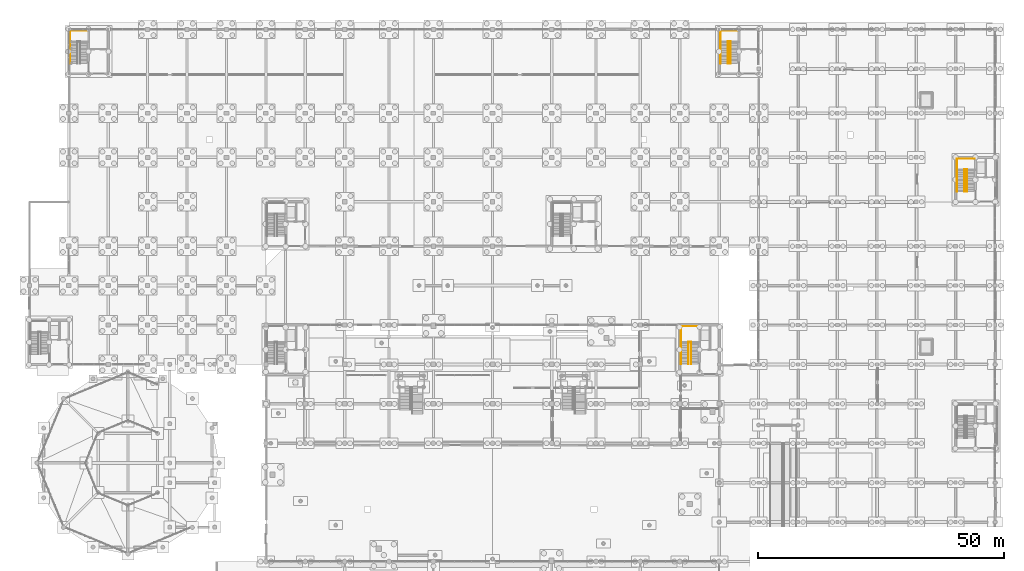
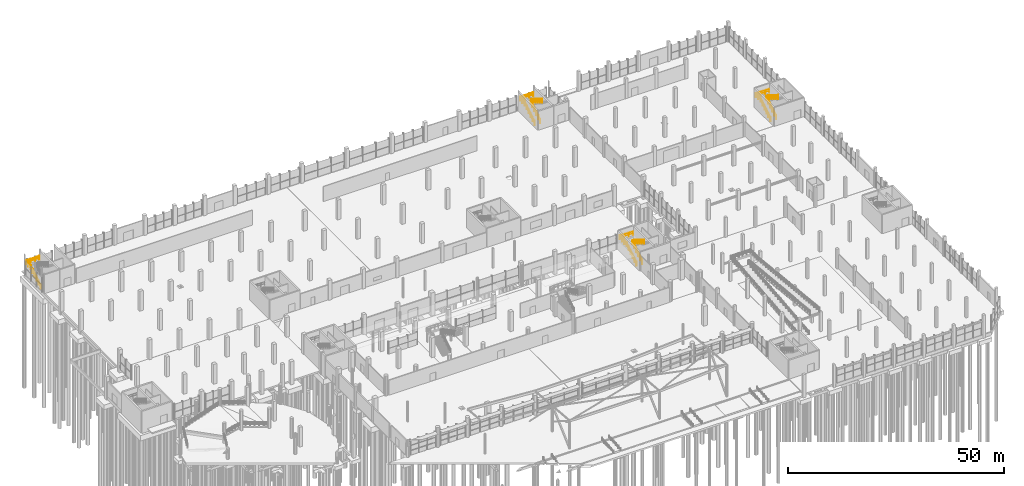
# One storey, part 96 of 98: 7 railings.
"""IFC4 building model written with IfcOpenShell, lengths in metres."""

import ifcopenshell
import ifcopenshell.guid

model = None  # the IFC model being written
_history = None  # IfcOwnerHistory: only IFC2X3 demands one
_inside = {}  # id of a spatial element -> (the spatial element, [elements in it])
_under = {}  # id of a project, library or spatial element -> (it, [spatial elements below it])
_declared = {}  # id of a project -> (the project, [libraries it declares])
_typed = {}  # id of a type object -> (the type object, [elements of that type])
_made_of = {}  # id of a material, layer set ... -> (it, [elements and type objects made of it])


def new_model(schema):
    """Start an empty IFC model of exactly this schema.

    Asked for "IFC4X3", IfcOpenShell would pick the latest addendum, in which some entities
    have other attributes; the version numbers below select the first issue.
    IFC2X3 requires an IfcOwnerHistory on every rooted entity: one is made here for all.
    """
    global model, _history
    if schema == "IFC4X3":
        model = ifcopenshell.file(schema_version=(4, 3, 0, 0))
    else:
        model = ifcopenshell.file(schema=schema)
    _inside.clear()
    _under.clear()
    _declared.clear()
    _typed.clear()
    _made_of.clear()
    _history = None
    if model.schema == "IFC2X3":
        org = make("IfcOrganization", Name="unknown")
        user = make(
            "IfcPersonAndOrganization",
            ThePerson=make("IfcPerson", FamilyName="unknown"),
            TheOrganization=org,
        )
        app = make(
            "IfcApplication",
            ApplicationDeveloper=org,
            Version="unknown",
            ApplicationFullName="unknown",
            ApplicationIdentifier="unknown",
        )
        _history = make(
            "IfcOwnerHistory",
            OwningUser=user,
            OwningApplication=app,
            ChangeAction="ADDED",
            CreationDate=0,
        )
    return model


def make(cls, **values):
    """One entity of the class cls with the attributes given. An attribute that is None is left unset."""
    return model.create_entity(
        cls, **{name: value for name, value in values.items() if value is not None}
    )


def rooted(cls, **values):
    """An entity with a GlobalId (a new one), such as an element, a storey or a relation."""
    return make(cls, GlobalId=ifcopenshell.guid.new(), OwnerHistory=_history, **values)


def si_unit(unit_type, name, prefix=None):
    """IfcSIUnit, for example si_unit("LENGTHUNIT", "METRE", prefix="MILLI")."""
    return make("IfcSIUnit", UnitType=unit_type, Prefix=prefix, Name=name)


def derived_unit(unit_type, elements):
    """IfcDerivedUnit: a product of units, each with its exponent."""
    return make(
        "IfcDerivedUnit",
        Elements=[
            make("IfcDerivedUnitElement", Unit=unit, Exponent=power)
            for unit, power in elements
        ],
        UnitType=unit_type,
    )


def assignment(units):
    """IfcUnitAssignment: the units of a project."""
    return None if units is None else make("IfcUnitAssignment", Units=units)


def point(xyz):
    """IfcCartesianPoint."""
    return None if xyz is None else make("IfcCartesianPoint", Coordinates=xyz)


def direction(xyz):
    """IfcDirection."""
    return None if xyz is None else make("IfcDirection", DirectionRatios=xyz)


def frame(location, z_axis=None, x_axis=None):
    """IfcAxis2Placement3D, a coordinate frame: its origin and axes. An axis left out is left unset."""
    return make(
        "IfcAxis2Placement3D",
        Location=point(location),
        Axis=direction(z_axis),
        RefDirection=direction(x_axis),
    )


def frame_2d(location, x_axis=None):
    """IfcAxis2Placement2D, a coordinate frame in the plane: its origin and x axis."""
    return make(
        "IfcAxis2Placement2D", Location=point(location), RefDirection=direction(x_axis)
    )


def origin():
    """The frame at (0, 0, 0) with its axes left unset."""
    return frame((0.0, 0.0, 0.0))


def origin_2d():
    """The frame at (0, 0) in the plane with its x axis left unset."""
    return frame_2d((0.0, 0.0))


def place(relative_to, where):
    """IfcLocalPlacement: puts the frame where relative to a parent placement (None: the world)."""
    return make(
        "IfcLocalPlacement", PlacementRelTo=relative_to, RelativePlacement=where
    )


def context(
    kind, dimensions, precision=None, world=None, true_north=None, identifier=None
):
    """IfcGeometricRepresentationContext, for example the 3D "Model" context."""
    return make(
        "IfcGeometricRepresentationContext",
        ContextIdentifier=identifier,
        ContextType=kind,
        CoordinateSpaceDimension=dimensions,
        Precision=precision,
        WorldCoordinateSystem=world,
        TrueNorth=true_north,
    )


def subcontext(parent, identifier, kind, view, scale=None):
    """IfcGeometricRepresentationSubContext, for example "Body" below "Model"."""
    return make(
        "IfcGeometricRepresentationSubContext",
        ContextIdentifier=identifier,
        ContextType=kind,
        ParentContext=parent,
        TargetScale=scale,
        TargetView=view,
    )


def project(units=None, contexts=None):
    """IfcProject with its units and contexts."""
    return rooted(
        "IfcProject",
        Name="project",
        RepresentationContexts=contexts,
        UnitsInContext=assignment(units),
    )


def spatial(cls, under=None, at=None, **own):
    """A site, building, storey or space (cls), placed at a placement, below another one or the project."""
    s = rooted(cls, ObjectPlacement=at, **own)
    if under is not None:
        _under.setdefault(under.id(), (under, []))[1].append(s)
    return s


def profile(cls, at=None, kind="AREA", **sizes):
    """A parametric profile (cls). Its sizes go by their IFC names, for example OverallWidth=200.0."""
    return make(cls, ProfileType=kind, Position=at, **sizes)


def circle(**sizes):
    """IfcCircleProfileDef."""
    return profile("IfcCircleProfileDef", **sizes)


def extrude(swept, where, along, depth):
    """IfcExtrudedAreaSolid: the profile swept, set in the frame where, extruded along a direction by depth."""
    return make(
        "IfcExtrudedAreaSolid",
        SweptArea=swept,
        Position=where,
        ExtrudedDirection=direction(along),
        Depth=depth,
    )


def shape(context_of_items, identifier, shape_type, items):
    """IfcShapeRepresentation: the items that make up one representation, for example the "Body"."""
    return make(
        "IfcShapeRepresentation",
        ContextOfItems=context_of_items,
        RepresentationIdentifier=identifier,
        RepresentationType=shape_type,
        Items=items,
    )


def material(Name=None, Category=None):
    """IfcMaterial."""
    return make("IfcMaterial", Name=Name, Category=Category)


def made_of(thing, what):
    """Note that an element or type object is made of a material, layer set ...; save() writes the relation."""
    if what is not None:
        _made_of.setdefault(what.id(), (what, []))[1].append(thing)
    return thing


def type_object(cls, material=None, **own):
    """A type object (cls), such as IfcWallType, which elements share."""
    return made_of(rooted(cls, **own), material)


def element(
    cls,
    number,
    at=None,
    inside=None,
    cuts=None,
    type_object=None,
    material=None,
    context=None,
    identifier="Body",
    shape_type=None,
    held_by="IfcProductDefinitionShape",
    body=None,
    shapes=None,
    **own,
):
    """One element of the class cls, such as IfcWall. Its Tag is "e" and its number.

    at: its placement. inside: the storey or other place that contains it. cuts: it is an
    opening in that element (IfcRelVoidsElement). A single representation is given by context,
    identifier, shape_type and body (its items); several are given by shapes. held_by: the class
    of the entity that holds the representations. save() writes the other relations.
    """
    e = rooted(cls, Tag="e%d" % number, ObjectPlacement=at, **own)
    if body is not None:
        shapes = [shape(context, identifier, shape_type, body)]
    if shapes is not None:
        e.Representation = make(held_by, Representations=shapes)
    if inside is not None:
        _inside.setdefault(inside.id(), (inside, []))[1].append(e)
    if cuts is not None:
        rooted(
            "IfcRelVoidsElement", RelatingBuildingElement=cuts, RelatedOpeningElement=e
        )
    if type_object is not None:
        _typed.setdefault(type_object.id(), (type_object, []))[1].append(e)
    return made_of(e, material)


def aggregate(whole, parts):
    """IfcRelAggregates: a whole, such as a stair, and the parts it consists of."""
    return rooted("IfcRelAggregates", RelatingObject=whole, RelatedObjects=parts)


def save(model, path):
    """Write the relations noted so far, then the file.

    IfcRelAggregates (storeys below a building ...), IfcRelContainedInSpatialStructure (elements
    in a storey), IfcRelDefinesByType, IfcRelAssociatesMaterial and IfcRelDeclares: one each for
    every whole, place, type object, material and project.
    """
    for whole, parts in _under.values():
        aggregate(whole, parts)
    for where, things in _inside.values():
        rooted(
            "IfcRelContainedInSpatialStructure",
            RelatedElements=things,
            RelatingStructure=where,
        )
    for kind, things in _typed.values():
        rooted("IfcRelDefinesByType", RelatedObjects=things, RelatingType=kind)
    for what, things in _made_of.values():
        rooted("IfcRelAssociatesMaterial", RelatedObjects=things, RelatingMaterial=what)
    for by, libraries in _declared.values():
        rooted("IfcRelDeclares", RelatingContext=by, RelatedDefinitions=libraries)
    model.write(path)


model = new_model("IFC4")

# Units and contexts
model_context = context("Model", 3, precision=1e-05, world=origin(), true_north=direction((0.0, 1.0)))
body_context = subcontext(model_context, "Body", "Model", "MODEL_VIEW")
ifc_project = project(units=[si_unit("LENGTHUNIT", "METRE"), si_unit("AREAUNIT", "SQUARE_METRE"), si_unit("VOLUMEUNIT", "CUBIC_METRE"), si_unit("PLANEANGLEUNIT", "RADIAN"), si_unit("MASSUNIT", "GRAM", prefix="KILO"), si_unit("THERMODYNAMICTEMPERATUREUNIT", "KELVIN"), derived_unit("THERMALTRANSMITTANCEUNIT", [(si_unit("POWERUNIT", "WATT"), 1), (si_unit("AREAUNIT", "SQUARE_METRE"), -1), (si_unit("THERMODYNAMICTEMPERATUREUNIT", "KELVIN"), -1)])], contexts=[model_context])

# Site, building, storey
site_placement = place(None, origin())
site = spatial("IfcSite", under=ifc_project, at=site_placement, CompositionType="ELEMENT")
building_placement = place(site_placement, origin())
building = spatial("IfcBuilding", under=site, at=building_placement, Name="Haiyu Intermodal Mobility Hub", CompositionType="ELEMENT")
storey_placement = place(building_placement, origin())
storey = spatial("IfcBuildingStorey", under=building, at=storey_placement, Name="L00", CompositionType="ELEMENT", Elevation=0.0)

# Railings
ifc_material = material(Name="Steel Q355C", Category="steel")
railing_type = type_object("IfcRailingType", Name="RAL-GR03", PredefinedType="GUARDRAIL", material=ifc_material)
railing_1_placement = place(storey_placement, frame((147.780029296875, 80.050048828125, 0.0)))
element("IfcRailing", 1, at=railing_1_placement, inside=storey, type_object=railing_type, Name="Stair Well Guard STR-C2-L00", PredefinedType="GUARDRAIL", context=body_context, shape_type="SweptSolid", body=[
    extrude(circle(Radius=0.02392578125, at=origin_2d()), frame((0.0, 0.025634765625, 1.11181640625), z_axis=(0.0, 0.850622528264, 0.525776867511), x_axis=(-1.0, 0.0, 0.0)), (0.0, 0.0, 1.0), 5.265625),
    extrude(circle(Radius=0.02392578125, at=origin_2d()), frame((0.0, 0.03173828125, 0.57958984375), z_axis=(0.0, 0.850622528264, 0.525776867511), x_axis=(-1.0, 0.0, 0.0)), (0.0, 0.0, 1.0), 0.990478515625),
    extrude(circle(Radius=0.02392578125, at=origin_2d()), frame((0.0, 0.937744140625, 1.1396484375), z_axis=(0.0, 0.850622528264, 0.525776867511), x_axis=(-1.0, 0.0, 0.0)), (0.0, 0.0, 1.0), 0.990478515625),
    extrude(circle(Radius=0.02392578125, at=origin_2d()), frame((0.0, 1.84375, 1.69970703125), z_axis=(0.0, 0.850622528264, 0.525776867511), x_axis=(-1.0, 0.0, 0.0)), (0.0, 0.0, 1.0), 0.990478515625),
    extrude(circle(Radius=0.02392578125, at=origin_2d()), frame((0.0, 2.749755859375, 2.259765625), z_axis=(0.0, 0.850622528264, 0.525776867511), x_axis=(-1.0, 0.0, 0.0)), (0.0, 0.0, 1.0), 0.990478515625),
    extrude(circle(Radius=0.02392578125, at=origin_2d()), frame((0.0, 3.65576171875, 2.81982421875), z_axis=(0.0, 0.850622528264, 0.525776867511), x_axis=(-1.0, 0.0, 0.0)), (0.0, 0.0, 1.0), 0.990478515625),
    extrude(circle(Radius=0.02392578125, at=origin_2d()), frame((0.030029296875, 4.530029296875, 3.89599609375), z_axis=(1.0, 0.0, 0.0), x_axis=(0.0, 1.0, 0.0)), (0.0, 0.0, 1.0), 0.469970703125),
    extrude(circle(Radius=0.02392578125, at=origin_2d()), frame((0.037353515625, 4.530029296875, 3.360107421875), z_axis=(1.0, 0.0, 0.0), x_axis=(0.0, 1.0, 0.0)), (0.0, 0.0, 1.0), 0.455322265625),
    extrude(circle(Radius=0.02392578125, at=origin_2d()), frame((0.530029296875, 4.50439453125, 3.911865234375), z_axis=(0.0, -0.850622528264, 0.525776867511), x_axis=(1.0, 0.0, 0.0)), (0.0, 0.0, 1.0), 5.265625),
    extrude(circle(Radius=0.02392578125, at=origin_2d()), frame((0.530029296875, 4.498291015625, 3.379638671875), z_axis=(0.0, -0.850622528264, 0.525776867511), x_axis=(1.0, 0.0, 0.0)), (0.0, 0.0, 1.0), 0.990478515625),
    extrude(circle(Radius=0.02392578125, at=origin_2d()), frame((0.530029296875, 3.59228515625, 3.939697265625), z_axis=(0.0, -0.850622528264, 0.525776867511), x_axis=(1.0, 0.0, 0.0)), (0.0, 0.0, 1.0), 0.990478515625),
    extrude(circle(Radius=0.02392578125, at=origin_2d()), frame((0.530029296875, 2.686279296875, 4.499755859375), z_axis=(0.0, -0.850622528264, 0.525776867511), x_axis=(1.0, 0.0, 0.0)), (0.0, 0.0, 1.0), 0.990478515625),
    extrude(circle(Radius=0.02392578125, at=origin_2d()), frame((0.530029296875, 1.7802734375, 5.059814453125), z_axis=(0.0, -0.850622528264, 0.525776867511), x_axis=(1.0, 0.0, 0.0)), (0.0, 0.0, 1.0), 0.990478515625),
    extrude(circle(Radius=0.02392578125, at=origin_2d()), frame((0.530029296875, 0.874267578125, 5.619873046875), z_axis=(0.0, -0.850622528264, 0.525776867511), x_axis=(1.0, 0.0, 0.0)), (0.0, 0.0, 1.0), 0.990478515625),
    extrude(circle(Radius=0.02099609375, at=origin_2d()), origin(), (0.0, 0.0, 1.0), 1.06396484375),
    extrude(circle(Radius=0.02099609375, at=origin_2d()), frame((0.0, 0.906005859375, 0.56005859375)), (0.0, 0.0, 1.0), 1.06396484375),
    extrude(circle(Radius=0.02099609375, at=origin_2d()), frame((0.0, 1.81201171875, 1.1201171875)), (0.0, 0.0, 1.0), 1.06396484375),
    extrude(circle(Radius=0.02099609375, at=origin_2d()), frame((0.0, 2.718017578125, 1.679931640625)), (0.0, 0.0, 1.0), 1.06396484375),
    extrude(circle(Radius=0.02099609375, at=origin_2d()), frame((0.0, 3.6240234375, 2.239990234375)), (0.0, 0.0, 1.0), 1.06396484375),
    extrude(circle(Radius=0.02099609375, at=origin_2d()), frame((0.0, 4.530029296875, 2.800048828125)), (0.0, 0.0, 1.0), 1.06396484375),
    extrude(circle(Radius=0.02099609375, at=origin_2d()), frame((0.530029296875, 4.530029296875, 2.800048828125)), (0.0, 0.0, 1.0), 1.06396484375),
    extrude(circle(Radius=0.02099609375, at=origin_2d()), frame((0.530029296875, 3.6240234375, 3.360107421875)), (0.0, 0.0, 1.0), 1.06396484375),
    extrude(circle(Radius=0.02099609375, at=origin_2d()), frame((0.530029296875, 2.718017578125, 3.920166015625)), (0.0, 0.0, 1.0), 1.06396484375),
    extrude(circle(Radius=0.02099609375, at=origin_2d()), frame((0.530029296875, 1.81201171875, 4.47998046875)), (0.0, 0.0, 1.0), 1.06396484375),
    extrude(circle(Radius=0.02099609375, at=origin_2d()), frame((0.530029296875, 0.906005859375, 5.0400390625)), (0.0, 0.0, 1.0), 1.06396484375),
    extrude(circle(Radius=0.02099609375, at=origin_2d()), frame((0.530029296875, 0.0, 5.60009765625)), (0.0, 0.0, 1.0), 1.06396484375),
])
railing_2_placement = place(storey_placement, frame((146.25, 80.050048828125, 0.0)))
element("IfcRailing", 2, at=railing_2_placement, inside=storey, type_object=railing_type, Name="Stair Outer Guard STR-C2-L00", PredefinedType="GUARDRAIL", context=body_context, shape_type="SweptSolid", body=[
    extrude(circle(Radius=0.02392578125, at=origin_2d()), frame((0.0, 0.025390625, 1.112060546875), z_axis=(0.0, 0.847993111587, 0.530007247782), x_axis=(-1.0, 0.0, 0.0)), (0.0, 0.0, 1.0), 5.22314453125),
    extrude(circle(Radius=0.02392578125, at=origin_2d()), frame((0.0, 0.03173828125, 0.579833984375), z_axis=(0.0, 0.847993111587, 0.530007247782), x_axis=(-1.0, 0.0, 0.0)), (0.0, 0.0, 1.0), 0.98193359375),
    extrude(circle(Radius=0.02392578125, at=origin_2d()), frame((0.0, 0.927734375, 1.139892578125), z_axis=(0.0, 0.847993111587, 0.530007247782), x_axis=(-1.0, 0.0, 0.0)), (0.0, 0.0, 1.0), 0.98193359375),
    extrude(circle(Radius=0.02392578125, at=origin_2d()), frame((0.0, 1.82373046875, 1.699951171875), z_axis=(0.0, 0.847993111587, 0.530007247782), x_axis=(-1.0, 0.0, 0.0)), (0.0, 0.0, 1.0), 0.98193359375),
    extrude(circle(Radius=0.02392578125, at=origin_2d()), frame((0.0, 2.7197265625, 2.259765625), z_axis=(0.0, 0.847993111587, 0.530007247782), x_axis=(-1.0, 0.0, 0.0)), (0.0, 0.0, 1.0), 0.98193359375),
    extrude(circle(Radius=0.02392578125, at=origin_2d()), frame((0.0, 3.61572265625, 2.81982421875), z_axis=(0.0, 0.847993111587, 0.530007247782), x_axis=(-1.0, 0.0, 0.0)), (0.0, 0.0, 1.0), 0.98193359375),
    extrude(circle(Radius=0.02392578125, at=origin_2d()), frame((0.0, 4.510009765625, 3.89599609375), z_axis=(0.0, 1.0, 0.0), x_axis=(-1.0, 0.0, 0.0)), (0.0, 0.0, 1.0), 3.169921875),
    extrude(circle(Radius=0.02392578125, at=origin_2d()), frame((0.0, 4.517333984375, 3.360107421875), z_axis=(0.0, 1.0, 0.0), x_axis=(-1.0, 0.0, 0.0)), (0.0, 0.0, 1.0), 1.001953125),
    extrude(circle(Radius=0.02392578125, at=origin_2d()), frame((0.0, 5.593994140625, 3.360107421875), z_axis=(0.0, 1.0, 0.0), x_axis=(-1.0, 0.0, 0.0)), (0.0, 0.0, 1.0), 1.001953125),
    extrude(circle(Radius=0.02392578125, at=origin_2d()), frame((0.0, 6.670654296875, 3.360107421875), z_axis=(0.0, 1.0, 0.0), x_axis=(-1.0, 0.0, 0.0)), (0.0, 0.0, 1.0), 1.001953125),
    extrude(circle(Radius=0.02392578125, at=origin_2d()), frame((0.030029296875, 7.7099609375, 3.89599609375), z_axis=(1.0, 0.0, 0.0), x_axis=(0.0, 1.0, 0.0)), (0.0, 0.0, 1.0), 3.52001953125),
    extrude(circle(Radius=0.02392578125, at=origin_2d()), frame((0.037353515625, 7.7099609375, 3.360107421875), z_axis=(1.0, 0.0, 0.0), x_axis=(0.0, 1.0, 0.0)), (0.0, 0.0, 1.0), 1.11865234375),
    extrude(circle(Radius=0.02392578125, at=origin_2d()), frame((1.230712890625, 7.7099609375, 3.360107421875), z_axis=(1.0, 0.0, 0.0), x_axis=(0.0, 1.0, 0.0)), (0.0, 0.0, 1.0), 1.11865234375),
    extrude(circle(Radius=0.02392578125, at=origin_2d()), frame((2.424072265625, 7.7099609375, 3.360107421875), z_axis=(1.0, 0.0, 0.0), x_axis=(0.0, 1.0, 0.0)), (0.0, 0.0, 1.0), 1.11865234375),
    extrude(circle(Radius=0.02099609375, at=origin_2d()), origin(), (0.0, 0.0, 1.0), 1.06396484375),
    extrude(circle(Radius=0.02099609375, at=origin_2d()), frame((0.0, 0.89599609375, 0.56005859375)), (0.0, 0.0, 1.0), 1.06396484375),
    extrude(circle(Radius=0.02099609375, at=origin_2d()), frame((0.0, 1.7919921875, 1.1201171875)), (0.0, 0.0, 1.0), 1.06396484375),
    extrude(circle(Radius=0.02099609375, at=origin_2d()), frame((0.0, 2.68798828125, 1.679931640625)), (0.0, 0.0, 1.0), 1.06396484375),
    extrude(circle(Radius=0.02099609375, at=origin_2d()), frame((0.0, 3.583984375, 2.239990234375)), (0.0, 0.0, 1.0), 1.06396484375),
    extrude(circle(Radius=0.02099609375, at=origin_2d()), frame((0.0, 4.47998046875, 2.800048828125)), (0.0, 0.0, 1.0), 1.06396484375),
    extrude(circle(Radius=0.02099609375, at=origin_2d()), frame((0.0, 5.556640625, 2.800048828125)), (0.0, 0.0, 1.0), 1.06396484375),
    extrude(circle(Radius=0.02099609375, at=origin_2d()), frame((0.0, 6.63330078125, 2.800048828125)), (0.0, 0.0, 1.0), 1.06396484375),
    extrude(circle(Radius=0.02099609375, at=origin_2d()), frame((0.0, 7.7099609375, 2.800048828125)), (0.0, 0.0, 1.0), 1.06396484375),
    extrude(circle(Radius=0.02099609375, at=origin_2d()), frame((1.193359375, 7.7099609375, 2.800048828125)), (0.0, 0.0, 1.0), 1.06396484375),
    extrude(circle(Radius=0.02099609375, at=origin_2d()), frame((2.38671875, 7.7099609375, 2.800048828125)), (0.0, 0.0, 1.0), 1.06396484375),
    extrude(circle(Radius=0.02099609375, at=origin_2d()), frame((3.580078125, 7.7099609375, 2.800048828125)), (0.0, 0.0, 1.0), 1.06396484375),
])
railing_3_placement = place(storey_placement, frame((22.25, 141.050048828125, 0.0)))
element("IfcRailing", 3, at=railing_3_placement, inside=storey, type_object=railing_type, Name="Stair Outer Guard STR-C3-L00", PredefinedType="GUARDRAIL", context=body_context, shape_type="SweptSolid", body=[
    extrude(circle(Radius=0.02392578125, at=origin_2d()), frame((0.0, 0.025390625, 1.112060546875), z_axis=(0.0, 0.847993111587, 0.530007247782), x_axis=(-1.0, 0.0, 0.0)), (0.0, 0.0, 1.0), 5.22314453125),
    extrude(circle(Radius=0.02392578125, at=origin_2d()), frame((0.0, 0.03173828125, 0.579833984375), z_axis=(0.0, 0.847993111587, 0.530007247782), x_axis=(-1.0, 0.0, 0.0)), (0.0, 0.0, 1.0), 0.98193359375),
    extrude(circle(Radius=0.02392578125, at=origin_2d()), frame((0.0, 0.927734375, 1.139892578125), z_axis=(0.0, 0.847993111587, 0.530007247782), x_axis=(-1.0, 0.0, 0.0)), (0.0, 0.0, 1.0), 0.98193359375),
    extrude(circle(Radius=0.02392578125, at=origin_2d()), frame((0.0, 1.82373046875, 1.699951171875), z_axis=(0.0, 0.847993111587, 0.530007247782), x_axis=(-1.0, 0.0, 0.0)), (0.0, 0.0, 1.0), 0.98193359375),
    extrude(circle(Radius=0.02392578125, at=origin_2d()), frame((0.0, 2.7197265625, 2.259765625), z_axis=(0.0, 0.847993111587, 0.530007247782), x_axis=(-1.0, 0.0, 0.0)), (0.0, 0.0, 1.0), 0.98193359375),
    extrude(circle(Radius=0.02392578125, at=origin_2d()), frame((0.0, 3.61572265625, 2.81982421875), z_axis=(0.0, 0.847993111587, 0.530007247782), x_axis=(-1.0, 0.0, 0.0)), (0.0, 0.0, 1.0), 0.98193359375),
    extrude(circle(Radius=0.02392578125, at=origin_2d()), frame((0.0, 4.510009765625, 3.89599609375), z_axis=(0.0, 1.0, 0.0), x_axis=(-1.0, 0.0, 0.0)), (0.0, 0.0, 1.0), 2.169921875),
    extrude(circle(Radius=0.02392578125, at=origin_2d()), frame((0.0, 4.517333984375, 3.360107421875), z_axis=(0.0, 1.0, 0.0), x_axis=(-1.0, 0.0, 0.0)), (0.0, 0.0, 1.0), 1.040283203125),
    extrude(circle(Radius=0.02392578125, at=origin_2d()), frame((0.0, 5.63232421875, 3.360107421875), z_axis=(0.0, 1.0, 0.0), x_axis=(-1.0, 0.0, 0.0)), (0.0, 0.0, 1.0), 1.040283203125),
    extrude(circle(Radius=0.02392578125, at=origin_2d()), frame((0.030029296875, 6.7099609375, 3.89599609375), z_axis=(1.0, 0.0, 0.0), x_axis=(0.0, 1.0, 0.0)), (0.0, 0.0, 1.0), 3.52001953125),
    extrude(circle(Radius=0.02392578125, at=origin_2d()), frame((0.037353515625, 6.7099609375, 3.360107421875), z_axis=(1.0, 0.0, 0.0), x_axis=(0.0, 1.0, 0.0)), (0.0, 0.0, 1.0), 1.11865234375),
    extrude(circle(Radius=0.02392578125, at=origin_2d()), frame((1.230712890625, 6.7099609375, 3.360107421875), z_axis=(1.0, 0.0, 0.0), x_axis=(0.0, 1.0, 0.0)), (0.0, 0.0, 1.0), 1.11865234375),
    extrude(circle(Radius=0.02392578125, at=origin_2d()), frame((2.424072265625, 6.7099609375, 3.360107421875), z_axis=(1.0, 0.0, 0.0), x_axis=(0.0, 1.0, 0.0)), (0.0, 0.0, 1.0), 1.11865234375),
    extrude(circle(Radius=0.02099609375, at=origin_2d()), origin(), (0.0, 0.0, 1.0), 1.06396484375),
    extrude(circle(Radius=0.02099609375, at=origin_2d()), frame((0.0, 0.89599609375, 0.56005859375)), (0.0, 0.0, 1.0), 1.06396484375),
    extrude(circle(Radius=0.02099609375, at=origin_2d()), frame((0.0, 1.7919921875, 1.1201171875)), (0.0, 0.0, 1.0), 1.06396484375),
    extrude(circle(Radius=0.02099609375, at=origin_2d()), frame((0.0, 2.68798828125, 1.679931640625)), (0.0, 0.0, 1.0), 1.06396484375),
    extrude(circle(Radius=0.02099609375, at=origin_2d()), frame((0.0, 3.583984375, 2.239990234375)), (0.0, 0.0, 1.0), 1.06396484375),
    extrude(circle(Radius=0.02099609375, at=origin_2d()), frame((0.0, 4.47998046875, 2.800048828125)), (0.0, 0.0, 1.0), 1.06396484375),
    extrude(circle(Radius=0.02099609375, at=origin_2d()), frame((0.0, 5.594970703125, 2.800048828125)), (0.0, 0.0, 1.0), 1.06396484375),
    extrude(circle(Radius=0.02099609375, at=origin_2d()), frame((0.0, 6.7099609375, 2.800048828125)), (0.0, 0.0, 1.0), 1.06396484375),
    extrude(circle(Radius=0.02099609375, at=origin_2d()), frame((1.193359375, 6.7099609375, 2.800048828125)), (0.0, 0.0, 1.0), 1.06396484375),
    extrude(circle(Radius=0.02099609375, at=origin_2d()), frame((2.38671875, 6.7099609375, 2.800048828125)), (0.0, 0.0, 1.0), 1.06396484375),
    extrude(circle(Radius=0.02099609375, at=origin_2d()), frame((3.580078125, 6.7099609375, 2.800048828125)), (0.0, 0.0, 1.0), 1.06396484375),
])
railing_4_placement = place(storey_placement, frame((155.780029296875, 141.050048828125, 0.0)))
element("IfcRailing", 4, at=railing_4_placement, inside=storey, type_object=railing_type, Name="Stair Well Guard STR-C4-L00", PredefinedType="GUARDRAIL", context=body_context, shape_type="SweptSolid", body=[
    extrude(circle(Radius=0.02392578125, at=origin_2d()), frame((0.0, 0.025634765625, 1.11181640625), z_axis=(0.0, 0.850622528264, 0.525776867511), x_axis=(-1.0, 0.0, 0.0)), (0.0, 0.0, 1.0), 5.265625),
    extrude(circle(Radius=0.02392578125, at=origin_2d()), frame((0.0, 0.03173828125, 0.57958984375), z_axis=(0.0, 0.850622528264, 0.525776867511), x_axis=(-1.0, 0.0, 0.0)), (0.0, 0.0, 1.0), 0.990478515625),
    extrude(circle(Radius=0.02392578125, at=origin_2d()), frame((0.0, 0.937744140625, 1.1396484375), z_axis=(0.0, 0.850622528264, 0.525776867511), x_axis=(-1.0, 0.0, 0.0)), (0.0, 0.0, 1.0), 0.990478515625),
    extrude(circle(Radius=0.02392578125, at=origin_2d()), frame((0.0, 1.84375, 1.69970703125), z_axis=(0.0, 0.850622528264, 0.525776867511), x_axis=(-1.0, 0.0, 0.0)), (0.0, 0.0, 1.0), 0.990478515625),
    extrude(circle(Radius=0.02392578125, at=origin_2d()), frame((0.0, 2.749755859375, 2.259765625), z_axis=(0.0, 0.850622528264, 0.525776867511), x_axis=(-1.0, 0.0, 0.0)), (0.0, 0.0, 1.0), 0.990478515625),
    extrude(circle(Radius=0.02392578125, at=origin_2d()), frame((0.0, 3.65576171875, 2.81982421875), z_axis=(0.0, 0.850622528264, 0.525776867511), x_axis=(-1.0, 0.0, 0.0)), (0.0, 0.0, 1.0), 0.990478515625),
    extrude(circle(Radius=0.02392578125, at=origin_2d()), frame((0.030029296875, 4.530029296875, 3.89599609375), z_axis=(1.0, 0.0, 0.0), x_axis=(0.0, 1.0, 0.0)), (0.0, 0.0, 1.0), 0.469970703125),
    extrude(circle(Radius=0.02392578125, at=origin_2d()), frame((0.037353515625, 4.530029296875, 3.360107421875), z_axis=(1.0, 0.0, 0.0), x_axis=(0.0, 1.0, 0.0)), (0.0, 0.0, 1.0), 0.455322265625),
    extrude(circle(Radius=0.02392578125, at=origin_2d()), frame((0.530029296875, 4.50439453125, 3.911865234375), z_axis=(0.0, -0.850622528264, 0.525776867511), x_axis=(1.0, 0.0, 0.0)), (0.0, 0.0, 1.0), 5.265625),
    extrude(circle(Radius=0.02392578125, at=origin_2d()), frame((0.530029296875, 4.498291015625, 3.379638671875), z_axis=(0.0, -0.850622528264, 0.525776867511), x_axis=(1.0, 0.0, 0.0)), (0.0, 0.0, 1.0), 0.990478515625),
    extrude(circle(Radius=0.02392578125, at=origin_2d()), frame((0.530029296875, 3.59228515625, 3.939697265625), z_axis=(0.0, -0.850622528264, 0.525776867511), x_axis=(1.0, 0.0, 0.0)), (0.0, 0.0, 1.0), 0.990478515625),
    extrude(circle(Radius=0.02392578125, at=origin_2d()), frame((0.530029296875, 2.686279296875, 4.499755859375), z_axis=(0.0, -0.850622528264, 0.525776867511), x_axis=(1.0, 0.0, 0.0)), (0.0, 0.0, 1.0), 0.990478515625),
    extrude(circle(Radius=0.02392578125, at=origin_2d()), frame((0.530029296875, 1.7802734375, 5.059814453125), z_axis=(0.0, -0.850622528264, 0.525776867511), x_axis=(1.0, 0.0, 0.0)), (0.0, 0.0, 1.0), 0.990478515625),
    extrude(circle(Radius=0.02392578125, at=origin_2d()), frame((0.530029296875, 0.874267578125, 5.619873046875), z_axis=(0.0, -0.850622528264, 0.525776867511), x_axis=(1.0, 0.0, 0.0)), (0.0, 0.0, 1.0), 0.990478515625),
    extrude(circle(Radius=0.02099609375, at=origin_2d()), origin(), (0.0, 0.0, 1.0), 1.06396484375),
    extrude(circle(Radius=0.02099609375, at=origin_2d()), frame((0.0, 0.906005859375, 0.56005859375)), (0.0, 0.0, 1.0), 1.06396484375),
    extrude(circle(Radius=0.02099609375, at=origin_2d()), frame((0.0, 1.81201171875, 1.1201171875)), (0.0, 0.0, 1.0), 1.06396484375),
    extrude(circle(Radius=0.02099609375, at=origin_2d()), frame((0.0, 2.718017578125, 1.679931640625)), (0.0, 0.0, 1.0), 1.06396484375),
    extrude(circle(Radius=0.02099609375, at=origin_2d()), frame((0.0, 3.6240234375, 2.239990234375)), (0.0, 0.0, 1.0), 1.06396484375),
    extrude(circle(Radius=0.02099609375, at=origin_2d()), frame((0.0, 4.530029296875, 2.800048828125)), (0.0, 0.0, 1.0), 1.06396484375),
    extrude(circle(Radius=0.02099609375, at=origin_2d()), frame((0.530029296875, 4.530029296875, 2.800048828125)), (0.0, 0.0, 1.0), 1.06396484375),
    extrude(circle(Radius=0.02099609375, at=origin_2d()), frame((0.530029296875, 3.6240234375, 3.360107421875)), (0.0, 0.0, 1.0), 1.06396484375),
    extrude(circle(Radius=0.02099609375, at=origin_2d()), frame((0.530029296875, 2.718017578125, 3.920166015625)), (0.0, 0.0, 1.0), 1.06396484375),
    extrude(circle(Radius=0.02099609375, at=origin_2d()), frame((0.530029296875, 1.81201171875, 4.47998046875)), (0.0, 0.0, 1.0), 1.06396484375),
    extrude(circle(Radius=0.02099609375, at=origin_2d()), frame((0.530029296875, 0.906005859375, 5.0400390625)), (0.0, 0.0, 1.0), 1.06396484375),
    extrude(circle(Radius=0.02099609375, at=origin_2d()), frame((0.530029296875, 0.0, 5.60009765625)), (0.0, 0.0, 1.0), 1.06396484375),
])
railing_5_placement = place(storey_placement, frame((154.25, 141.050048828125, 0.0)))
element("IfcRailing", 5, at=railing_5_placement, inside=storey, type_object=railing_type, Name="Stair Outer Guard STR-C4-L00", PredefinedType="GUARDRAIL", context=body_context, shape_type="SweptSolid", body=[
    extrude(circle(Radius=0.02392578125, at=origin_2d()), frame((0.0, 0.025390625, 1.112060546875), z_axis=(0.0, 0.847993111587, 0.530007247782), x_axis=(-1.0, 0.0, 0.0)), (0.0, 0.0, 1.0), 5.22314453125),
    extrude(circle(Radius=0.02392578125, at=origin_2d()), frame((0.0, 0.03173828125, 0.579833984375), z_axis=(0.0, 0.847993111587, 0.530007247782), x_axis=(-1.0, 0.0, 0.0)), (0.0, 0.0, 1.0), 0.98193359375),
    extrude(circle(Radius=0.02392578125, at=origin_2d()), frame((0.0, 0.927734375, 1.139892578125), z_axis=(0.0, 0.847993111587, 0.530007247782), x_axis=(-1.0, 0.0, 0.0)), (0.0, 0.0, 1.0), 0.98193359375),
    extrude(circle(Radius=0.02392578125, at=origin_2d()), frame((0.0, 1.82373046875, 1.699951171875), z_axis=(0.0, 0.847993111587, 0.530007247782), x_axis=(-1.0, 0.0, 0.0)), (0.0, 0.0, 1.0), 0.98193359375),
    extrude(circle(Radius=0.02392578125, at=origin_2d()), frame((0.0, 2.7197265625, 2.259765625), z_axis=(0.0, 0.847993111587, 0.530007247782), x_axis=(-1.0, 0.0, 0.0)), (0.0, 0.0, 1.0), 0.98193359375),
    extrude(circle(Radius=0.02392578125, at=origin_2d()), frame((0.0, 3.61572265625, 2.81982421875), z_axis=(0.0, 0.847993111587, 0.530007247782), x_axis=(-1.0, 0.0, 0.0)), (0.0, 0.0, 1.0), 0.98193359375),
    extrude(circle(Radius=0.02392578125, at=origin_2d()), frame((0.0, 4.510009765625, 3.89599609375), z_axis=(0.0, 1.0, 0.0), x_axis=(-1.0, 0.0, 0.0)), (0.0, 0.0, 1.0), 2.169921875),
    extrude(circle(Radius=0.02392578125, at=origin_2d()), frame((0.0, 4.517333984375, 3.360107421875), z_axis=(0.0, 1.0, 0.0), x_axis=(-1.0, 0.0, 0.0)), (0.0, 0.0, 1.0), 1.040283203125),
    extrude(circle(Radius=0.02392578125, at=origin_2d()), frame((0.0, 5.63232421875, 3.360107421875), z_axis=(0.0, 1.0, 0.0), x_axis=(-1.0, 0.0, 0.0)), (0.0, 0.0, 1.0), 1.040283203125),
    extrude(circle(Radius=0.02392578125, at=origin_2d()), frame((0.030029296875, 6.7099609375, 3.89599609375), z_axis=(1.0, 0.0, 0.0), x_axis=(0.0, 1.0, 0.0)), (0.0, 0.0, 1.0), 3.52001953125),
    extrude(circle(Radius=0.02392578125, at=origin_2d()), frame((0.037353515625, 6.7099609375, 3.360107421875), z_axis=(1.0, 0.0, 0.0), x_axis=(0.0, 1.0, 0.0)), (0.0, 0.0, 1.0), 1.11865234375),
    extrude(circle(Radius=0.02392578125, at=origin_2d()), frame((1.230712890625, 6.7099609375, 3.360107421875), z_axis=(1.0, 0.0, 0.0), x_axis=(0.0, 1.0, 0.0)), (0.0, 0.0, 1.0), 1.11865234375),
    extrude(circle(Radius=0.02392578125, at=origin_2d()), frame((2.424072265625, 6.7099609375, 3.360107421875), z_axis=(1.0, 0.0, 0.0), x_axis=(0.0, 1.0, 0.0)), (0.0, 0.0, 1.0), 1.11865234375),
    extrude(circle(Radius=0.02099609375, at=origin_2d()), origin(), (0.0, 0.0, 1.0), 1.06396484375),
    extrude(circle(Radius=0.02099609375, at=origin_2d()), frame((0.0, 0.89599609375, 0.56005859375)), (0.0, 0.0, 1.0), 1.06396484375),
    extrude(circle(Radius=0.02099609375, at=origin_2d()), frame((0.0, 1.7919921875, 1.1201171875)), (0.0, 0.0, 1.0), 1.06396484375),
    extrude(circle(Radius=0.02099609375, at=origin_2d()), frame((0.0, 2.68798828125, 1.679931640625)), (0.0, 0.0, 1.0), 1.06396484375),
    extrude(circle(Radius=0.02099609375, at=origin_2d()), frame((0.0, 3.583984375, 2.239990234375)), (0.0, 0.0, 1.0), 1.06396484375),
    extrude(circle(Radius=0.02099609375, at=origin_2d()), frame((0.0, 4.47998046875, 2.800048828125)), (0.0, 0.0, 1.0), 1.06396484375),
    extrude(circle(Radius=0.02099609375, at=origin_2d()), frame((0.0, 5.594970703125, 2.800048828125)), (0.0, 0.0, 1.0), 1.06396484375),
    extrude(circle(Radius=0.02099609375, at=origin_2d()), frame((0.0, 6.7099609375, 2.800048828125)), (0.0, 0.0, 1.0), 1.06396484375),
    extrude(circle(Radius=0.02099609375, at=origin_2d()), frame((1.193359375, 6.7099609375, 2.800048828125)), (0.0, 0.0, 1.0), 1.06396484375),
    extrude(circle(Radius=0.02099609375, at=origin_2d()), frame((2.38671875, 6.7099609375, 2.800048828125)), (0.0, 0.0, 1.0), 1.06396484375),
    extrude(circle(Radius=0.02099609375, at=origin_2d()), frame((3.580078125, 6.7099609375, 2.800048828125)), (0.0, 0.0, 1.0), 1.06396484375),
])
railing_6_placement = place(storey_placement, frame((203.780029296875, 115.050048828125, 0.0)))
element("IfcRailing", 6, at=railing_6_placement, inside=storey, type_object=railing_type, Name="Stair Well Guard STR-C10-L00", PredefinedType="GUARDRAIL", context=body_context, shape_type="SweptSolid", body=[
    extrude(circle(Radius=0.02392578125, at=origin_2d()), frame((0.0, 0.025634765625, 1.11181640625), z_axis=(0.0, 0.850622528264, 0.525776867511), x_axis=(-1.0, 0.0, 0.0)), (0.0, 0.0, 1.0), 5.265625),
    extrude(circle(Radius=0.02392578125, at=origin_2d()), frame((0.0, 0.03173828125, 0.57958984375), z_axis=(0.0, 0.850622528264, 0.525776867511), x_axis=(-1.0, 0.0, 0.0)), (0.0, 0.0, 1.0), 0.990478515625),
    extrude(circle(Radius=0.02392578125, at=origin_2d()), frame((0.0, 0.937744140625, 1.1396484375), z_axis=(0.0, 0.850622528264, 0.525776867511), x_axis=(-1.0, 0.0, 0.0)), (0.0, 0.0, 1.0), 0.990478515625),
    extrude(circle(Radius=0.02392578125, at=origin_2d()), frame((0.0, 1.84375, 1.69970703125), z_axis=(0.0, 0.850622528264, 0.525776867511), x_axis=(-1.0, 0.0, 0.0)), (0.0, 0.0, 1.0), 0.990478515625),
    extrude(circle(Radius=0.02392578125, at=origin_2d()), frame((0.0, 2.749755859375, 2.259765625), z_axis=(0.0, 0.850622528264, 0.525776867511), x_axis=(-1.0, 0.0, 0.0)), (0.0, 0.0, 1.0), 0.990478515625),
    extrude(circle(Radius=0.02392578125, at=origin_2d()), frame((0.0, 3.65576171875, 2.81982421875), z_axis=(0.0, 0.850622528264, 0.525776867511), x_axis=(-1.0, 0.0, 0.0)), (0.0, 0.0, 1.0), 0.990478515625),
    extrude(circle(Radius=0.02392578125, at=origin_2d()), frame((0.030029296875, 4.530029296875, 3.89599609375), z_axis=(1.0, 0.0, 0.0), x_axis=(0.0, 1.0, 0.0)), (0.0, 0.0, 1.0), 0.469970703125),
    extrude(circle(Radius=0.02392578125, at=origin_2d()), frame((0.037353515625, 4.530029296875, 3.360107421875), z_axis=(1.0, 0.0, 0.0), x_axis=(0.0, 1.0, 0.0)), (0.0, 0.0, 1.0), 0.455322265625),
    extrude(circle(Radius=0.02392578125, at=origin_2d()), frame((0.530029296875, 4.50439453125, 3.911865234375), z_axis=(0.0, -0.850622528264, 0.525776867511), x_axis=(1.0, 0.0, 0.0)), (0.0, 0.0, 1.0), 5.265625),
    extrude(circle(Radius=0.02392578125, at=origin_2d()), frame((0.530029296875, 4.498291015625, 3.379638671875), z_axis=(0.0, -0.850622528264, 0.525776867511), x_axis=(1.0, 0.0, 0.0)), (0.0, 0.0, 1.0), 0.990478515625),
    extrude(circle(Radius=0.02392578125, at=origin_2d()), frame((0.530029296875, 3.59228515625, 3.939697265625), z_axis=(0.0, -0.850622528264, 0.525776867511), x_axis=(1.0, 0.0, 0.0)), (0.0, 0.0, 1.0), 0.990478515625),
    extrude(circle(Radius=0.02392578125, at=origin_2d()), frame((0.530029296875, 2.686279296875, 4.499755859375), z_axis=(0.0, -0.850622528264, 0.525776867511), x_axis=(1.0, 0.0, 0.0)), (0.0, 0.0, 1.0), 0.990478515625),
    extrude(circle(Radius=0.02392578125, at=origin_2d()), frame((0.530029296875, 1.7802734375, 5.059814453125), z_axis=(0.0, -0.850622528264, 0.525776867511), x_axis=(1.0, 0.0, 0.0)), (0.0, 0.0, 1.0), 0.990478515625),
    extrude(circle(Radius=0.02392578125, at=origin_2d()), frame((0.530029296875, 0.874267578125, 5.619873046875), z_axis=(0.0, -0.850622528264, 0.525776867511), x_axis=(1.0, 0.0, 0.0)), (0.0, 0.0, 1.0), 0.990478515625),
    extrude(circle(Radius=0.02099609375, at=origin_2d()), origin(), (0.0, 0.0, 1.0), 1.06396484375),
    extrude(circle(Radius=0.02099609375, at=origin_2d()), frame((0.0, 0.906005859375, 0.56005859375)), (0.0, 0.0, 1.0), 1.06396484375),
    extrude(circle(Radius=0.02099609375, at=origin_2d()), frame((0.0, 1.81201171875, 1.1201171875)), (0.0, 0.0, 1.0), 1.06396484375),
    extrude(circle(Radius=0.02099609375, at=origin_2d()), frame((0.0, 2.718017578125, 1.679931640625)), (0.0, 0.0, 1.0), 1.06396484375),
    extrude(circle(Radius=0.02099609375, at=origin_2d()), frame((0.0, 3.6240234375, 2.239990234375)), (0.0, 0.0, 1.0), 1.06396484375),
    extrude(circle(Radius=0.02099609375, at=origin_2d()), frame((0.0, 4.530029296875, 2.800048828125)), (0.0, 0.0, 1.0), 1.06396484375),
    extrude(circle(Radius=0.02099609375, at=origin_2d()), frame((0.530029296875, 4.530029296875, 2.800048828125)), (0.0, 0.0, 1.0), 1.06396484375),
    extrude(circle(Radius=0.02099609375, at=origin_2d()), frame((0.530029296875, 3.6240234375, 3.360107421875)), (0.0, 0.0, 1.0), 1.06396484375),
    extrude(circle(Radius=0.02099609375, at=origin_2d()), frame((0.530029296875, 2.718017578125, 3.920166015625)), (0.0, 0.0, 1.0), 1.06396484375),
    extrude(circle(Radius=0.02099609375, at=origin_2d()), frame((0.530029296875, 1.81201171875, 4.47998046875)), (0.0, 0.0, 1.0), 1.06396484375),
    extrude(circle(Radius=0.02099609375, at=origin_2d()), frame((0.530029296875, 0.906005859375, 5.0400390625)), (0.0, 0.0, 1.0), 1.06396484375),
    extrude(circle(Radius=0.02099609375, at=origin_2d()), frame((0.530029296875, 0.0, 5.60009765625)), (0.0, 0.0, 1.0), 1.06396484375),
])
railing_7_placement = place(storey_placement, frame((202.25, 115.050048828125, 0.0)))
element("IfcRailing", 7, at=railing_7_placement, inside=storey, type_object=railing_type, Name="Stair Outer Guard STR-C10-L00", PredefinedType="GUARDRAIL", context=body_context, shape_type="SweptSolid", body=[
    extrude(circle(Radius=0.02392578125, at=origin_2d()), frame((0.0, 0.025390625, 1.112060546875), z_axis=(0.0, 0.847993111587, 0.530007247782), x_axis=(-1.0, 0.0, 0.0)), (0.0, 0.0, 1.0), 5.22314453125),
    extrude(circle(Radius=0.02392578125, at=origin_2d()), frame((0.0, 0.03173828125, 0.579833984375), z_axis=(0.0, 0.847993111587, 0.530007247782), x_axis=(-1.0, 0.0, 0.0)), (0.0, 0.0, 1.0), 0.98193359375),
    extrude(circle(Radius=0.02392578125, at=origin_2d()), frame((0.0, 0.927734375, 1.139892578125), z_axis=(0.0, 0.847993111587, 0.530007247782), x_axis=(-1.0, 0.0, 0.0)), (0.0, 0.0, 1.0), 0.98193359375),
    extrude(circle(Radius=0.02392578125, at=origin_2d()), frame((0.0, 1.82373046875, 1.699951171875), z_axis=(0.0, 0.847993111587, 0.530007247782), x_axis=(-1.0, 0.0, 0.0)), (0.0, 0.0, 1.0), 0.98193359375),
    extrude(circle(Radius=0.02392578125, at=origin_2d()), frame((0.0, 2.7197265625, 2.259765625), z_axis=(0.0, 0.847993111587, 0.530007247782), x_axis=(-1.0, 0.0, 0.0)), (0.0, 0.0, 1.0), 0.98193359375),
    extrude(circle(Radius=0.02392578125, at=origin_2d()), frame((0.0, 3.61572265625, 2.81982421875), z_axis=(0.0, 0.847993111587, 0.530007247782), x_axis=(-1.0, 0.0, 0.0)), (0.0, 0.0, 1.0), 0.98193359375),
    extrude(circle(Radius=0.02392578125, at=origin_2d()), frame((0.0, 4.510009765625, 3.89599609375), z_axis=(0.0, 1.0, 0.0), x_axis=(-1.0, 0.0, 0.0)), (0.0, 0.0, 1.0), 2.169921875),
    extrude(circle(Radius=0.02392578125, at=origin_2d()), frame((0.0, 4.517333984375, 3.360107421875), z_axis=(0.0, 1.0, 0.0), x_axis=(-1.0, 0.0, 0.0)), (0.0, 0.0, 1.0), 1.040283203125),
    extrude(circle(Radius=0.02392578125, at=origin_2d()), frame((0.0, 5.63232421875, 3.360107421875), z_axis=(0.0, 1.0, 0.0), x_axis=(-1.0, 0.0, 0.0)), (0.0, 0.0, 1.0), 1.040283203125),
    extrude(circle(Radius=0.02392578125, at=origin_2d()), frame((0.030029296875, 6.7099609375, 3.89599609375), z_axis=(1.0, 0.0, 0.0), x_axis=(0.0, 1.0, 0.0)), (0.0, 0.0, 1.0), 3.52001953125),
    extrude(circle(Radius=0.02392578125, at=origin_2d()), frame((0.037353515625, 6.7099609375, 3.360107421875), z_axis=(1.0, 0.0, 0.0), x_axis=(0.0, 1.0, 0.0)), (0.0, 0.0, 1.0), 1.11865234375),
    extrude(circle(Radius=0.02392578125, at=origin_2d()), frame((1.230712890625, 6.7099609375, 3.360107421875), z_axis=(1.0, 0.0, 0.0), x_axis=(0.0, 1.0, 0.0)), (0.0, 0.0, 1.0), 1.11865234375),
    extrude(circle(Radius=0.02392578125, at=origin_2d()), frame((2.424072265625, 6.7099609375, 3.360107421875), z_axis=(1.0, 0.0, 0.0), x_axis=(0.0, 1.0, 0.0)), (0.0, 0.0, 1.0), 1.11865234375),
    extrude(circle(Radius=0.02099609375, at=origin_2d()), origin(), (0.0, 0.0, 1.0), 1.06396484375),
    extrude(circle(Radius=0.02099609375, at=origin_2d()), frame((0.0, 0.89599609375, 0.56005859375)), (0.0, 0.0, 1.0), 1.06396484375),
    extrude(circle(Radius=0.02099609375, at=origin_2d()), frame((0.0, 1.7919921875, 1.1201171875)), (0.0, 0.0, 1.0), 1.06396484375),
    extrude(circle(Radius=0.02099609375, at=origin_2d()), frame((0.0, 2.68798828125, 1.679931640625)), (0.0, 0.0, 1.0), 1.06396484375),
    extrude(circle(Radius=0.02099609375, at=origin_2d()), frame((0.0, 3.583984375, 2.239990234375)), (0.0, 0.0, 1.0), 1.06396484375),
    extrude(circle(Radius=0.02099609375, at=origin_2d()), frame((0.0, 4.47998046875, 2.800048828125)), (0.0, 0.0, 1.0), 1.06396484375),
    extrude(circle(Radius=0.02099609375, at=origin_2d()), frame((0.0, 5.594970703125, 2.800048828125)), (0.0, 0.0, 1.0), 1.06396484375),
    extrude(circle(Radius=0.02099609375, at=origin_2d()), frame((0.0, 6.7099609375, 2.800048828125)), (0.0, 0.0, 1.0), 1.06396484375),
    extrude(circle(Radius=0.02099609375, at=origin_2d()), frame((1.193359375, 6.7099609375, 2.800048828125)), (0.0, 0.0, 1.0), 1.06396484375),
    extrude(circle(Radius=0.02099609375, at=origin_2d()), frame((2.38671875, 6.7099609375, 2.800048828125)), (0.0, 0.0, 1.0), 1.06396484375),
    extrude(circle(Radius=0.02099609375, at=origin_2d()), frame((3.580078125, 6.7099609375, 2.800048828125)), (0.0, 0.0, 1.0), 1.06396484375),
])

save(model, "model.ifc")
